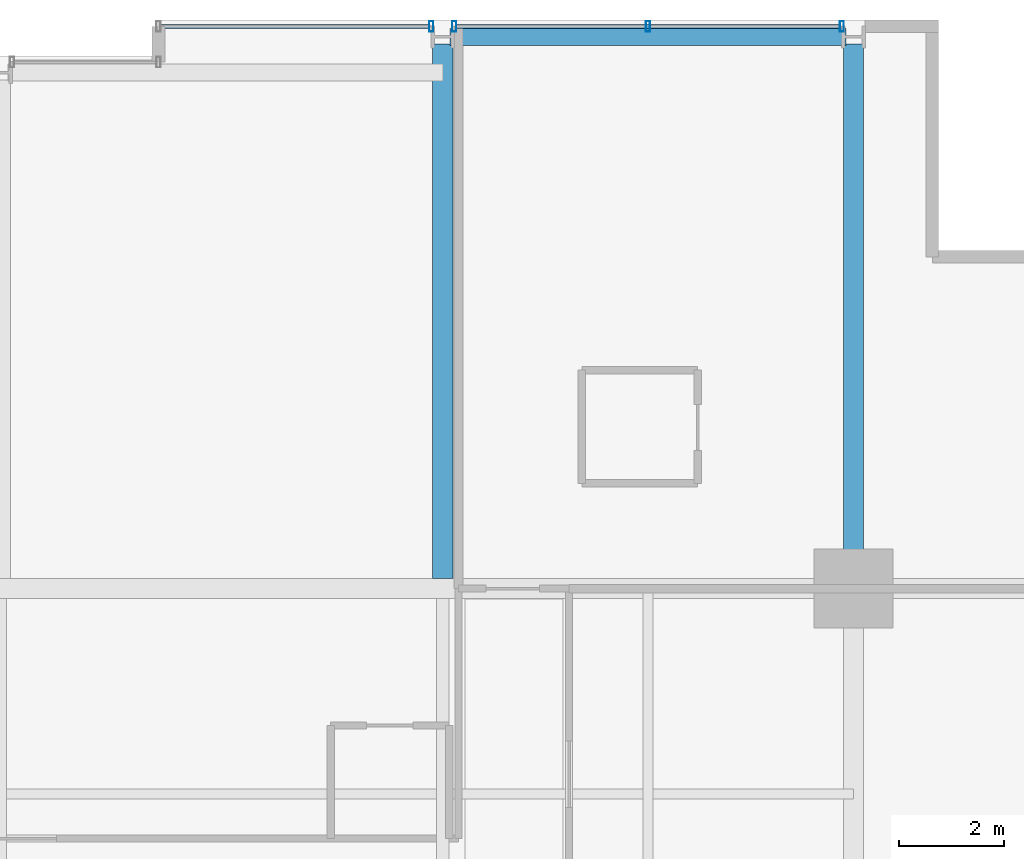
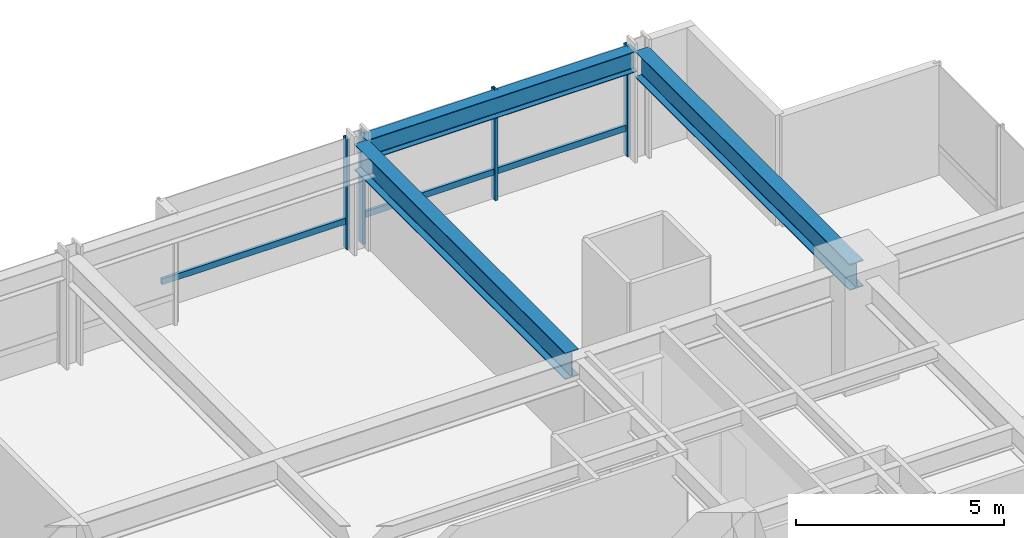
# One storey, part 25 of 34: 6 members, 3 beams, 2 elements without a shape of their own.
"""IFC4 building model written with IfcOpenShell, lengths in metres."""

from ifc_helpers import new_model, si_unit, direction, frame, origin, origin_2d, place, context, subcontext, project, spatial, hollow_rectangle, i_section, extrude, material, layer, layer_set, material_profile, profile_set, type_object, element, aggregate, save


model = new_model("IFC4")

# Units and contexts
model_context = context("Model", 3, precision=1e-05, world=origin(), true_north=direction((0.0, 1.0)))
body_context = subcontext(model_context, "Body", "Model", "MODEL_VIEW")
ifc_project = project(units=[si_unit("LENGTHUNIT", "METRE"), si_unit("AREAUNIT", "SQUARE_METRE"), si_unit("VOLUMEUNIT", "CUBIC_METRE"), si_unit("PLANEANGLEUNIT", "RADIAN"), si_unit("MASSUNIT", "GRAM", prefix="KILO")], contexts=[model_context])

# Site, building, storey
site_placement = place(None, origin())
site = spatial("IfcSite", under=ifc_project, at=site_placement, CompositionType="ELEMENT")
building_placement = place(site_placement, origin())
building = spatial("IfcBuilding", under=site, at=building_placement, Name="Drelvath Grand Hotel", CompositionType="ELEMENT")
storey_placement = place(building_placement, frame((0.0, 0.0, 112.800048828125)))
storey = spatial("IfcBuildingStorey", under=building, at=storey_placement, Name="L28", CompositionType="ELEMENT", Elevation=112.800048828125)

# Curtain wall, member
ifc_material_1 = material(Name="Champagne Bronze Anodised Aluminium Frame", Category="aluminium")
ifc_layer = layer(ifc_material_1, 0.199951171875)
ifc_layer_set = layer_set([ifc_layer], Name="Champagne Bronze Anodised Aluminium Frame")
curtain_wall_type = type_object("IfcCurtainWallType", Name="Stick Curtain Wall CW-03 Champagne Bronze Mid-Rise", PredefinedType="NOTDEFINED", material=ifc_layer_set)
curtain_wall_1_placement = place(storey_placement, origin())
curtain_wall_1 = element("IfcCurtainWall", 1, at=curtain_wall_1_placement, inside=storey, type_object=curtain_wall_type, Name="L28 CW-03 Curtain Wall CW03-L28-NE1", PredefinedType="NOTDEFINED")
ifc_material_profile_1 = material_profile(ifc_material_1, hollow_rectangle(XDim=0.074951171875, YDim=0.179931640625, WallThickness=0.0048828125, at=origin_2d()), Name="HSS180X75X5")
ifc_profile_set_1 = profile_set([ifc_material_profile_1], Name="Champagne Bronze Anodised Aluminium Frame")
member_type_1 = type_object("IfcMemberType", Name="Curtain Wall Horizontal Transom CW-03 HSS180X75X5", PredefinedType="USERDEFINED", material=ifc_profile_set_1)
member_1_placement = place(storey_placement, frame((3.0400390625, 53.8798828125, 0.81005859375), z_axis=(1.0, 0.0, 0.0), x_axis=(0.0, 1.0, 0.0)))
member_1 = element("IfcMember", 2, at=member_1_placement, type_object=member_type_1, Name="CW03-L28-NE1 Sill Transom", ObjectType="TRANSOM", PredefinedType="USERDEFINED", context=body_context, shape_type="SweptSolid", body=[
    extrude(hollow_rectangle(XDim=0.074951171875, YDim=0.179931640625, WallThickness=0.0048828125, at=origin_2d()), origin(), (0.0, 0.0, 1.0), 5.100341796875),
])

curtain_wall_2_placement = place(storey_placement, origin())
curtain_wall_2 = element("IfcCurtainWall", 3, at=curtain_wall_2_placement, inside=storey, type_object=curtain_wall_type, Name="L28 CW-03 Curtain Wall CW03-L28-NE2", PredefinedType="NOTDEFINED")
member_2_placement = place(storey_placement, frame((8.65966796875, 53.8798828125, 0.81005859375), z_axis=(1.0, 0.0, 0.0), x_axis=(0.0, 1.0, 0.0)))
member_2 = element("IfcMember", 4, at=member_2_placement, type_object=member_type_1, Name="CW03-L28-NE2 Sill Transom", ObjectType="TRANSOM", PredefinedType="USERDEFINED", context=body_context, shape_type="SweptSolid", body=[
    extrude(hollow_rectangle(XDim=0.074951171875, YDim=0.179931640625, WallThickness=0.0048828125, at=origin_2d()), origin(), (0.0, 0.0, 1.0), 7.28076171875),
])

# Member
ifc_material_profile_2 = material_profile(ifc_material_1, hollow_rectangle(XDim=0.080078125, YDim=0.199951171875, WallThickness=0.0048828125, at=origin_2d()), Name="HSS200X80X5")
ifc_profile_set_2 = profile_set([ifc_material_profile_2], Name="Champagne Bronze Anodised Aluminium Frame")
member_type_2 = type_object("IfcMemberType", Name="Curtain Wall Vertical Mullion CW-03 HSS200X80X5", PredefinedType="MULLION", material=ifc_profile_set_2)
member_3_placement = place(storey_placement, frame((8.180419921875, 53.8798828125, 0.0), z_axis=(0.0, 0.0, 1.0), x_axis=(1.0, 0.0, 0.0)))
member_3 = element("IfcMember", 5, at=member_3_placement, type_object=member_type_2, Name="CW03-L28-NE1 Mullion 2", PredefinedType="MULLION", context=body_context, shape_type="SweptSolid", body=[
    extrude(hollow_rectangle(XDim=0.080078125, YDim=0.199951171875, WallThickness=0.0048828125, at=origin_2d()), origin(), (0.0, 0.0, 1.0), 3.239990234375),
])

aggregate(curtain_wall_1, [member_3, member_1])

member_4_placement = place(storey_placement, frame((8.61962890625, 53.8798828125, 0.0), z_axis=(0.0, 0.0, 1.0), x_axis=(1.0, 0.0, 0.0)))
member_4 = element("IfcMember", 6, at=member_4_placement, type_object=member_type_2, Name="CW03-L28-NE2 Mullion 1", PredefinedType="MULLION", context=body_context, shape_type="SweptSolid", body=[
    extrude(hollow_rectangle(XDim=0.080078125, YDim=0.199951171875, WallThickness=0.0048828125, at=origin_2d()), origin(), (0.0, 0.0, 1.0), 3.239990234375),
])

member_5_placement = place(storey_placement, frame((12.300048828125, 53.8798828125, 0.0), z_axis=(0.0, 0.0, 1.0), x_axis=(1.0, 0.0, 0.0)))
member_5 = element("IfcMember", 7, at=member_5_placement, type_object=member_type_2, Name="CW03-L28-NE2 Mullion 2", PredefinedType="MULLION", context=body_context, shape_type="SweptSolid", body=[
    extrude(hollow_rectangle(XDim=0.080078125, YDim=0.199951171875, WallThickness=0.0048828125, at=origin_2d()), origin(), (0.0, 0.0, 1.0), 3.239990234375),
])

member_6_placement = place(storey_placement, frame((15.98046875, 53.8798828125, 0.0), z_axis=(0.0, 0.0, 1.0), x_axis=(1.0, 0.0, 0.0)))
member_6 = element("IfcMember", 8, at=member_6_placement, type_object=member_type_2, Name="CW03-L28-NE2 Mullion 3", PredefinedType="MULLION", context=body_context, shape_type="SweptSolid", body=[
    extrude(hollow_rectangle(XDim=0.080078125, YDim=0.199951171875, WallThickness=0.0048828125, at=origin_2d()), origin(), (0.0, 0.0, 1.0), 3.239990234375),
])

aggregate(curtain_wall_2, [member_4, member_5, member_6, member_2])

# Beams
ifc_material_2 = material(Name="Steel ASTM A992 Gr 50", Category="steel")
ifc_material_profile_3 = material_profile(ifc_material_2, i_section(OverallWidth=0.323974609375, OverallDepth=0.611083984375, WebThickness=0.0126953125, FlangeThickness=0.01904296875, FilletRadius=0.02197265625, at=origin_2d()), Name="W24X104")
ifc_profile_set_3 = profile_set([ifc_material_profile_3], Name="Steel ASTM A992 Gr 50")
beam_type_1 = type_object("IfcBeamType", Name="Perimeter Spandrel Beam W24X104", PredefinedType="SPANDREL", material=ifc_profile_set_3)
beam_1_placement = place(storey_placement, frame((8.5400390625, 53.679931640625, 2.9345703125), z_axis=(1.0, 0.0, 0.0), x_axis=(0.0, 1.0, 0.0)))
element("IfcBeam", 9, at=beam_1_placement, inside=storey, type_object=beam_type_1, Name="L28 Spandrel North E", PredefinedType="SPANDREL", context=body_context, shape_type="SweptSolid", body=[
    extrude(i_section(OverallWidth=0.323974609375, OverallDepth=0.611083984375, WebThickness=0.0126953125, FlangeThickness=0.01904296875, FilletRadius=0.02197265625, at=origin_2d()), origin(), (0.0, 0.0, 1.0), 7.52001953125),
])
ifc_material_profile_4 = material_profile(ifc_material_2, i_section(OverallWidth=0.380615234375, OverallDepth=0.773193359375, WebThickness=0.0166015625, FlangeThickness=0.027099609375, FilletRadius=0.02490234375, at=origin_2d()), Name="W30X173")
ifc_profile_set_4 = profile_set([ifc_material_profile_4], Name="Steel ASTM A992 Gr 50")
beam_type_2 = type_object("IfcBeamType", Name="Primary Floor Girder W30X173", PredefinedType="BEAM", material=ifc_profile_set_4)
beam_2_placement = place(storey_placement, frame((16.199951171875, 43.199951171875, 2.853271484375), z_axis=(0.0, 1.0, 0.0), x_axis=(-1.0, 0.0, 0.0)))
element("IfcBeam", 10, at=beam_2_placement, inside=storey, type_object=beam_type_2, Name="L28 North Grid Girder 7", PredefinedType="BEAM", context=body_context, shape_type="SweptSolid", body=[
    extrude(i_section(OverallWidth=0.380615234375, OverallDepth=0.773193359375, WebThickness=0.0166015625, FlangeThickness=0.027099609375, FilletRadius=0.02490234375, at=origin_2d()), origin(), (0.0, 0.0, 1.0), 10.340087890625),
])
beam_3_placement = place(storey_placement, frame((8.39990234375, 43.390380859375, 2.853271484375), z_axis=(0.0, 1.0, 0.0), x_axis=(-1.0, 0.0, 0.0)))
element("IfcBeam", 11, at=beam_3_placement, inside=storey, type_object=beam_type_2, Name="L28 North Wing Girder 6", PredefinedType="BEAM", context=body_context, shape_type="SweptSolid", body=[
    extrude(i_section(OverallWidth=0.380615234375, OverallDepth=0.773193359375, WebThickness=0.0166015625, FlangeThickness=0.027099609375, FilletRadius=0.02490234375, at=origin_2d()), origin(), (0.0, 0.0, 1.0), 10.149658203125),
])

save(model, "model.ifc")
